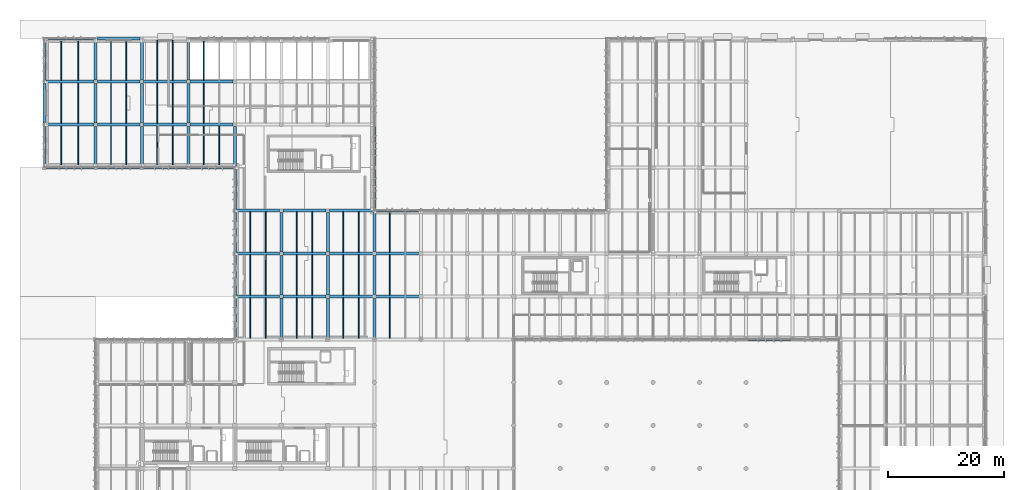
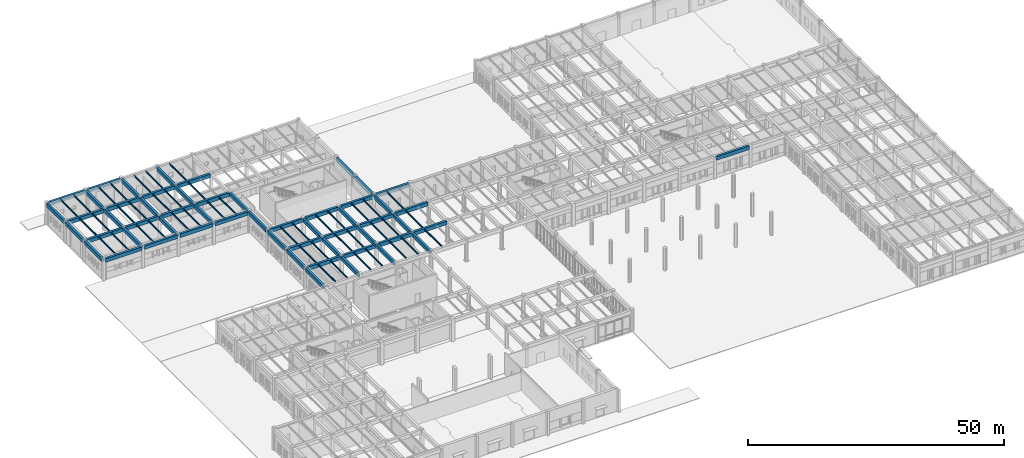
# One storey, part 7 of 56: 98 beams.
"""IFC4 building model written with IfcOpenShell, lengths in metres."""

from ifc_helpers import new_model, si_unit, direction, frame, origin, origin_2d, place, context, subcontext, project, spatial, rectangle, i_section, extrude, material, material_profile, profile_set, type_object, element, save


model = new_model("IFC4")

# Units and contexts
model_context = context("Model", 3, precision=1e-05, world=origin(), true_north=direction((0.0, 1.0)))
body_context = subcontext(model_context, "Body", "Model", "MODEL_VIEW")
ifc_project = project(units=[si_unit("LENGTHUNIT", "METRE"), si_unit("AREAUNIT", "SQUARE_METRE"), si_unit("VOLUMEUNIT", "CUBIC_METRE"), si_unit("PLANEANGLEUNIT", "RADIAN"), si_unit("MASSUNIT", "GRAM", prefix="KILO")], contexts=[model_context])

# Site, building, storey
site_placement = place(None, origin())
site = spatial("IfcSite", under=ifc_project, at=site_placement, CompositionType="ELEMENT")
building_placement = place(site_placement, origin())
building = spatial("IfcBuilding", under=site, at=building_placement, Name="Valkorina Park Police Headquarters", CompositionType="ELEMENT")
storey_placement = place(building_placement, origin())
storey = spatial("IfcBuildingStorey", under=building, at=storey_placement, Name="L01", CompositionType="ELEMENT", Elevation=0.0)

# Beams
ifc_material_1 = material(Name="Concrete C40/50", Category="concrete")
ifc_material_profile_1 = material_profile(ifc_material_1, rectangle(XDim=0.5, YDim=0.85009765625, at=origin_2d()), Name="RC BEAM 500x850")
ifc_profile_set_1 = profile_set([ifc_material_profile_1], Name="Concrete C40/50")
beam_type_1 = type_object("IfcBeamType", Name="BM-RC-500x850-EXT", PredefinedType="SPANDREL", material=ifc_profile_set_1)
beam_1_placement = place(storey_placement, frame((121.10009765625, 59.199951171875, 4.715087890625), z_axis=(1.0, 0.0, 0.0), x_axis=(0.0, 1.0, 0.0)))
element("IfcBeam", 1, at=beam_1_placement, inside=storey, type_object=beam_type_1, Name="L01 Framing Beam 0777", PredefinedType="SPANDREL", context=body_context, shape_type="SweptSolid", body=[
    extrude(rectangle(XDim=0.5, YDim=0.85009765625, at=origin_2d()), origin(), (0.0, 0.0, 1.0), 7.39990234375),
])
beam_2_placement = place(storey_placement, frame((57.044921875, 81.39990234375, 4.715087890625), z_axis=(1.0, 0.0, 0.0), x_axis=(0.0, 1.0, 0.0)))
element("IfcBeam", 2, at=beam_2_placement, inside=storey, type_object=beam_type_1, Name="L01 Framing Beam 0817", PredefinedType="SPANDREL", context=body_context, shape_type="SweptSolid", body=[
    extrude(rectangle(XDim=0.5, YDim=0.85009765625, at=origin_2d()), origin(), (0.0, 0.0, 1.0), 7.51025390625),
])
beam_3_placement = place(storey_placement, frame((0.300048828125, 88.800048828125, 4.715087890625), z_axis=(1.0, 0.0, 0.0), x_axis=(0.0, 1.0, 0.0)))
element("IfcBeam", 3, at=beam_3_placement, inside=storey, type_object=beam_type_1, Name="L01 Framing Beam 0830", PredefinedType="SPANDREL", context=body_context, shape_type="SweptSolid", body=[
    extrude(rectangle(XDim=0.5, YDim=0.85009765625, at=origin_2d()), origin(), (0.0, 0.0, 1.0), 8.199951171875),
])
for number, where, z_axis, x_axis, name in (
    (4, (9.10009765625, 88.800048828125, 4.715087890625), (1.0, 0.0, 0.0), (0.0, 1.0, 0.0), "L01 Framing Beam 0831"),
    (5, (17.10009765625, 88.800048828125, 4.715087890625), (1.0, 0.0, 0.0), (0.0, 1.0, 0.0), "L01 Framing Beam 0832"),
    (6, (25.10009765625, 88.800048828125, 4.715087890625), (1.0, 0.0, 0.0), (0.0, 1.0, 0.0), "L01 Framing Beam 0833"),
):
    element("IfcBeam", number, at=place(storey_placement, frame(where, z_axis=z_axis, x_axis=x_axis)), inside=storey, type_object=beam_type_1, Name=name, PredefinedType="SPANDREL", context=body_context, shape_type="SweptSolid", body=[
        extrude(rectangle(XDim=0.5, YDim=0.85009765625, at=origin_2d()), origin(), (0.0, 0.0, 1.0), 7.39990234375),
    ])
beam_4_placement = place(storey_placement, frame((0.300048828125, 111.0, 4.715087890625), z_axis=(1.0, 0.0, 0.0), x_axis=(0.0, 1.0, 0.0)))
element("IfcBeam", 7, at=beam_4_placement, inside=storey, type_object=beam_type_1, Name="L01 Framing Beam 0857", PredefinedType="SPANDREL", context=body_context, shape_type="SweptSolid", body=[
    extrude(rectangle(XDim=0.5, YDim=0.85009765625, at=origin_2d()), origin(), (0.0, 0.0, 1.0), 8.199951171875),
])
beam_5_placement = place(storey_placement, frame((9.10009765625, 111.0, 4.715087890625), z_axis=(1.0, 0.0, 0.0), x_axis=(0.0, 1.0, 0.0)))
element("IfcBeam", 8, at=beam_5_placement, inside=storey, type_object=beam_type_1, Name="L01 Framing Beam 0858", PredefinedType="SPANDREL", context=body_context, shape_type="SweptSolid", body=[
    extrude(rectangle(XDim=0.5, YDim=0.85009765625, at=origin_2d()), origin(), (0.0, 0.0, 1.0), 7.39990234375),
])
beam_6_placement = place(storey_placement, frame((0.0, 89.10009765625, 4.715087890625), z_axis=(0.0, 1.0, 0.0), x_axis=(-1.0, 0.0, 0.0)))
element("IfcBeam", 9, at=beam_6_placement, inside=storey, type_object=beam_type_1, Name="L01 Framing Beam 0876", PredefinedType="SPANDREL", context=body_context, shape_type="SweptSolid", body=[
    extrude(rectangle(XDim=0.5, YDim=0.85009765625, at=origin_2d()), origin(), (0.0, 0.0, 1.0), 6.7998046875),
])
for number, where, z_axis, x_axis, name in (
    (10, (0.0, 96.5, 4.715087890625), (0.0, 1.0, 0.0), (-1.0, 0.0, 0.0), "L01 Framing Beam 0879"),
    (11, (0.0, 103.89990234375, 4.715087890625), (0.0, 1.0, 0.0), (-1.0, 0.0, 0.0), "L01 Framing Beam 0882"),
):
    element("IfcBeam", number, at=place(storey_placement, frame(where, z_axis=z_axis, x_axis=x_axis)), inside=storey, type_object=beam_type_1, Name=name, PredefinedType="SPANDREL", context=body_context, shape_type="SweptSolid", body=[
        extrude(rectangle(XDim=0.5, YDim=0.85009765625, at=origin_2d()), origin(), (0.0, 0.0, 1.0), 6.800048828125),
    ])
beam_7_placement = place(storey_placement, frame((32.800048828125, 59.574951171875, 4.715087890625), z_axis=(0.0, 1.0, 0.0), x_axis=(-1.0, 0.0, 0.0)))
element("IfcBeam", 12, at=beam_7_placement, inside=storey, type_object=beam_type_1, Name="L01 Framing Beam 0972", PredefinedType="SPANDREL", context=body_context, shape_type="SweptSolid", body=[
    extrude(rectangle(XDim=0.5, YDim=0.85009765625, at=origin_2d()), origin(), (0.0, 0.0, 1.0), 6.72509765625),
])
for number, where, z_axis, x_axis, name in (
    (13, (32.800048828125, 66.89990234375, 4.715087890625), (0.0, 1.0, 0.0), (-1.0, 0.0, 0.0), "L01 Framing Beam 0975"),
    (14, (32.800048828125, 74.300048828125, 4.715087890625), (0.0, 1.0, 0.0), (-1.0, 0.0, 0.0), "L01 Framing Beam 0978"),
    (15, (32.800048828125, 81.699951171875, 4.715087890625), (0.0, 1.0, 0.0), (-1.0, 0.0, 0.0), "L01 Framing Beam 0981"),
):
    element("IfcBeam", number, at=place(storey_placement, frame(where, z_axis=z_axis, x_axis=x_axis)), inside=storey, type_object=beam_type_1, Name=name, PredefinedType="SPANDREL", context=body_context, shape_type="SweptSolid", body=[
        extrude(rectangle(XDim=0.5, YDim=0.85009765625, at=origin_2d()), origin(), (0.0, 0.0, 1.0), 6.800048828125),
    ])
beam_8_placement = place(storey_placement, frame((56.800048828125, 81.71630859375, 4.715087890625), z_axis=(0.0, 1.0, 0.0), x_axis=(-1.0, 0.0, 0.0)))
element("IfcBeam", 16, at=beam_8_placement, inside=storey, type_object=beam_type_1, Name="L01 Framing Beam 1040", PredefinedType="SPANDREL", context=body_context, shape_type="SweptSolid", body=[
    extrude(rectangle(XDim=0.5, YDim=0.85009765625, at=origin_2d()), origin(), (0.0, 0.0, 1.0), 6.78369140625),
])
beam_9_placement = place(storey_placement, frame((56.800048828125, 89.10009765625, 4.715087890625), z_axis=(0.0, 1.0, 0.0), x_axis=(-1.0, 0.0, 0.0)))
element("IfcBeam", 17, at=beam_9_placement, inside=storey, type_object=beam_type_1, Name="L01 Framing Beam 1041", PredefinedType="SPANDREL", context=body_context, shape_type="SweptSolid", body=[
    extrude(rectangle(XDim=0.5, YDim=0.85009765625, at=origin_2d()), origin(), (0.0, 0.0, 1.0), 6.7998046875),
])
ifc_material_profile_2 = material_profile(ifc_material_1, rectangle(XDim=0.5, YDim=0.85009765625, at=origin_2d()), Name="RC BEAM 500x850")
ifc_profile_set_2 = profile_set([ifc_material_profile_2], Name="Concrete C40/50")
beam_type_2 = type_object("IfcBeamType", Name="BM-RC-500x850-INT", PredefinedType="BEAM", material=ifc_profile_set_2)
for number, where, z_axis, x_axis, name in (
    (18, (33.10009765625, 66.60009765625, 4.715087890625), (1.0, 0.0, 0.0), (0.0, 1.0, 0.0), "L01 Framing Beam 0782"),
    (19, (41.10009765625, 66.60009765625, 4.715087890625), (1.0, 0.0, 0.0), (0.0, 1.0, 0.0), "L01 Framing Beam 0783"),
):
    element("IfcBeam", number, at=place(storey_placement, frame(where, z_axis=z_axis, x_axis=x_axis)), inside=storey, type_object=beam_type_2, Name=name, PredefinedType="BEAM", context=body_context, shape_type="SweptSolid", body=[
        extrude(rectangle(XDim=0.5, YDim=0.85009765625, at=origin_2d()), origin(), (0.0, 0.0, 1.0), 7.39990234375),
    ])
beam_10_placement = place(storey_placement, frame((49.10009765625, 66.60009765625, 4.715087890625), z_axis=(1.0, 0.0, 0.0), x_axis=(0.0, 1.0, 0.0)))
element("IfcBeam", 20, at=beam_10_placement, inside=storey, type_object=beam_type_2, Name="L01 Framing Beam 0784", PredefinedType="BEAM", context=body_context, shape_type="SweptSolid", body=[
    extrude(rectangle(XDim=0.5, YDim=0.85009765625, at=origin_2d()), origin(), (0.0, 0.0, 1.0), 7.455078125),
])
beam_11_placement = place(storey_placement, frame((57.044921875, 66.60009765625, 4.715087890625), z_axis=(1.0, 0.0, 0.0), x_axis=(0.0, 1.0, 0.0)))
element("IfcBeam", 21, at=beam_11_placement, inside=storey, type_object=beam_type_2, Name="L01 Framing Beam 0785", PredefinedType="BEAM", context=body_context, shape_type="SweptSolid", body=[
    extrude(rectangle(XDim=0.5, YDim=0.85009765625, at=origin_2d()), origin(), (0.0, 0.0, 1.0), 7.51025390625),
])
for number, where, z_axis, x_axis, name in (
    (22, (33.10009765625, 74.0, 4.715087890625), (1.0, 0.0, 0.0), (0.0, 1.0, 0.0), "L01 Framing Beam 0798"),
    (23, (41.10009765625, 74.0, 4.715087890625), (1.0, 0.0, 0.0), (0.0, 1.0, 0.0), "L01 Framing Beam 0799"),
):
    element("IfcBeam", number, at=place(storey_placement, frame(where, z_axis=z_axis, x_axis=x_axis)), inside=storey, type_object=beam_type_2, Name=name, PredefinedType="BEAM", context=body_context, shape_type="SweptSolid", body=[
        extrude(rectangle(XDim=0.5, YDim=0.85009765625, at=origin_2d()), origin(), (0.0, 0.0, 1.0), 7.39990234375),
    ])
beam_12_placement = place(storey_placement, frame((49.10009765625, 74.0, 4.715087890625), z_axis=(1.0, 0.0, 0.0), x_axis=(0.0, 1.0, 0.0)))
element("IfcBeam", 24, at=beam_12_placement, inside=storey, type_object=beam_type_2, Name="L01 Framing Beam 0800", PredefinedType="BEAM", context=body_context, shape_type="SweptSolid", body=[
    extrude(rectangle(XDim=0.5, YDim=0.85009765625, at=origin_2d()), origin(), (0.0, 0.0, 1.0), 7.455078125),
])
beam_13_placement = place(storey_placement, frame((57.044921875, 74.0, 4.715087890625), z_axis=(1.0, 0.0, 0.0), x_axis=(0.0, 1.0, 0.0)))
element("IfcBeam", 25, at=beam_13_placement, inside=storey, type_object=beam_type_2, Name="L01 Framing Beam 0801", PredefinedType="BEAM", context=body_context, shape_type="SweptSolid", body=[
    extrude(rectangle(XDim=0.5, YDim=0.85009765625, at=origin_2d()), origin(), (0.0, 0.0, 1.0), 7.51025390625),
])
for number, where, z_axis, x_axis, name in (
    (26, (33.10009765625, 81.39990234375, 4.715087890625), (1.0, 0.0, 0.0), (0.0, 1.0, 0.0), "L01 Framing Beam 0814"),
    (27, (41.10009765625, 81.39990234375, 4.715087890625), (1.0, 0.0, 0.0), (0.0, 1.0, 0.0), "L01 Framing Beam 0815"),
):
    element("IfcBeam", number, at=place(storey_placement, frame(where, z_axis=z_axis, x_axis=x_axis)), inside=storey, type_object=beam_type_2, Name=name, PredefinedType="BEAM", context=body_context, shape_type="SweptSolid", body=[
        extrude(rectangle(XDim=0.5, YDim=0.85009765625, at=origin_2d()), origin(), (0.0, 0.0, 1.0), 7.39990234375),
    ])
beam_14_placement = place(storey_placement, frame((49.10009765625, 81.39990234375, 4.715087890625), z_axis=(1.0, 0.0, 0.0), x_axis=(0.0, 1.0, 0.0)))
element("IfcBeam", 28, at=beam_14_placement, inside=storey, type_object=beam_type_2, Name="L01 Framing Beam 0816", PredefinedType="BEAM", context=body_context, shape_type="SweptSolid", body=[
    extrude(rectangle(XDim=0.5, YDim=0.85009765625, at=origin_2d()), origin(), (0.0, 0.0, 1.0), 7.455078125),
])
beam_15_placement = place(storey_placement, frame((0.300048828125, 96.199951171875, 4.715087890625), z_axis=(1.0, 0.0, 0.0), x_axis=(0.0, 1.0, 0.0)))
element("IfcBeam", 29, at=beam_15_placement, inside=storey, type_object=beam_type_2, Name="L01 Framing Beam 0837", PredefinedType="BEAM", context=body_context, shape_type="SweptSolid", body=[
    extrude(rectangle(XDim=0.5, YDim=0.85009765625, at=origin_2d()), origin(), (0.0, 0.0, 1.0), 8.199951171875),
])
for number, where, z_axis, x_axis, name in (
    (30, (9.10009765625, 96.199951171875, 4.715087890625), (1.0, 0.0, 0.0), (0.0, 1.0, 0.0), "L01 Framing Beam 0838"),
    (31, (17.10009765625, 96.199951171875, 4.715087890625), (1.0, 0.0, 0.0), (0.0, 1.0, 0.0), "L01 Framing Beam 0839"),
    (32, (25.10009765625, 96.199951171875, 4.715087890625), (1.0, 0.0, 0.0), (0.0, 1.0, 0.0), "L01 Framing Beam 0840"),
):
    element("IfcBeam", number, at=place(storey_placement, frame(where, z_axis=z_axis, x_axis=x_axis)), inside=storey, type_object=beam_type_2, Name=name, PredefinedType="BEAM", context=body_context, shape_type="SweptSolid", body=[
        extrude(rectangle(XDim=0.5, YDim=0.85009765625, at=origin_2d()), origin(), (0.0, 0.0, 1.0), 7.39990234375),
    ])
beam_16_placement = place(storey_placement, frame((0.300048828125, 103.60009765625, 4.715087890625), z_axis=(1.0, 0.0, 0.0), x_axis=(0.0, 1.0, 0.0)))
element("IfcBeam", 33, at=beam_16_placement, inside=storey, type_object=beam_type_2, Name="L01 Framing Beam 0847", PredefinedType="BEAM", context=body_context, shape_type="SweptSolid", body=[
    extrude(rectangle(XDim=0.5, YDim=0.85009765625, at=origin_2d()), origin(), (0.0, 0.0, 1.0), 8.199951171875),
])
for number, where, z_axis, x_axis, name in (
    (34, (9.10009765625, 103.60009765625, 4.715087890625), (1.0, 0.0, 0.0), (0.0, 1.0, 0.0), "L01 Framing Beam 0848"),
    (35, (17.10009765625, 103.60009765625, 4.715087890625), (1.0, 0.0, 0.0), (0.0, 1.0, 0.0), "L01 Framing Beam 0849"),
    (36, (25.10009765625, 103.60009765625, 4.715087890625), (1.0, 0.0, 0.0), (0.0, 1.0, 0.0), "L01 Framing Beam 0850"),
):
    element("IfcBeam", number, at=place(storey_placement, frame(where, z_axis=z_axis, x_axis=x_axis)), inside=storey, type_object=beam_type_2, Name=name, PredefinedType="BEAM", context=body_context, shape_type="SweptSolid", body=[
        extrude(rectangle(XDim=0.5, YDim=0.85009765625, at=origin_2d()), origin(), (0.0, 0.0, 1.0), 7.39990234375),
    ])
beam_17_placement = place(storey_placement, frame((8.800048828125, 89.10009765625, 4.715087890625), z_axis=(0.0, 1.0, 0.0), x_axis=(-1.0, 0.0, 0.0)))
element("IfcBeam", 37, at=beam_17_placement, inside=storey, type_object=beam_type_2, Name="L01 Framing Beam 0909", PredefinedType="BEAM", context=body_context, shape_type="SweptSolid", body=[
    extrude(rectangle(XDim=0.5, YDim=0.85009765625, at=origin_2d()), origin(), (0.0, 0.0, 1.0), 6.7998046875),
])
for number, where, z_axis, x_axis, name in (
    (38, (8.800048828125, 96.5, 4.715087890625), (0.0, 1.0, 0.0), (-1.0, 0.0, 0.0), "L01 Framing Beam 0912"),
    (39, (8.800048828125, 103.89990234375, 4.715087890625), (0.0, 1.0, 0.0), (-1.0, 0.0, 0.0), "L01 Framing Beam 0915"),
):
    element("IfcBeam", number, at=place(storey_placement, frame(where, z_axis=z_axis, x_axis=x_axis)), inside=storey, type_object=beam_type_2, Name=name, PredefinedType="BEAM", context=body_context, shape_type="SweptSolid", body=[
        extrude(rectangle(XDim=0.5, YDim=0.85009765625, at=origin_2d()), origin(), (0.0, 0.0, 1.0), 6.800048828125),
    ])
beam_18_placement = place(storey_placement, frame((16.800048828125, 89.10009765625, 4.715087890625), z_axis=(0.0, 1.0, 0.0), x_axis=(-1.0, 0.0, 0.0)))
element("IfcBeam", 40, at=beam_18_placement, inside=storey, type_object=beam_type_2, Name="L01 Framing Beam 0940", PredefinedType="BEAM", context=body_context, shape_type="SweptSolid", body=[
    extrude(rectangle(XDim=0.5, YDim=0.85009765625, at=origin_2d()), origin(), (0.0, 0.0, 1.0), 6.7998046875),
])
for number, where, z_axis, x_axis, name in (
    (41, (16.800048828125, 96.5, 4.715087890625), (0.0, 1.0, 0.0), (-1.0, 0.0, 0.0), "L01 Framing Beam 0943"),
    (42, (16.800048828125, 103.89990234375, 4.715087890625), (0.0, 1.0, 0.0), (-1.0, 0.0, 0.0), "L01 Framing Beam 0946"),
):
    element("IfcBeam", number, at=place(storey_placement, frame(where, z_axis=z_axis, x_axis=x_axis)), inside=storey, type_object=beam_type_2, Name=name, PredefinedType="BEAM", context=body_context, shape_type="SweptSolid", body=[
        extrude(rectangle(XDim=0.5, YDim=0.85009765625, at=origin_2d()), origin(), (0.0, 0.0, 1.0), 6.800048828125),
    ])
beam_19_placement = place(storey_placement, frame((24.800048828125, 89.10009765625, 4.715087890625), z_axis=(0.0, 1.0, 0.0), x_axis=(-1.0, 0.0, 0.0)))
element("IfcBeam", 43, at=beam_19_placement, inside=storey, type_object=beam_type_2, Name="L01 Framing Beam 0960", PredefinedType="BEAM", context=body_context, shape_type="SweptSolid", body=[
    extrude(rectangle(XDim=0.5, YDim=0.85009765625, at=origin_2d()), origin(), (0.0, 0.0, 1.0), 6.7998046875),
])
for number, where, z_axis, x_axis, name in (
    (44, (24.800048828125, 96.5, 4.715087890625), (0.0, 1.0, 0.0), (-1.0, 0.0, 0.0), "L01 Framing Beam 0963"),
    (45, (24.800048828125, 103.89990234375, 4.715087890625), (0.0, 1.0, 0.0), (-1.0, 0.0, 0.0), "L01 Framing Beam 0966"),
):
    element("IfcBeam", number, at=place(storey_placement, frame(where, z_axis=z_axis, x_axis=x_axis)), inside=storey, type_object=beam_type_2, Name=name, PredefinedType="BEAM", context=body_context, shape_type="SweptSolid", body=[
        extrude(rectangle(XDim=0.5, YDim=0.85009765625, at=origin_2d()), origin(), (0.0, 0.0, 1.0), 6.800048828125),
    ])
beam_20_placement = place(storey_placement, frame((32.800048828125, 89.10009765625, 4.715087890625), z_axis=(0.0, 1.0, 0.0), x_axis=(-1.0, 0.0, 0.0)))
element("IfcBeam", 46, at=beam_20_placement, inside=storey, type_object=beam_type_2, Name="L01 Framing Beam 0982", PredefinedType="BEAM", context=body_context, shape_type="SweptSolid", body=[
    extrude(rectangle(XDim=0.5, YDim=0.85009765625, at=origin_2d()), origin(), (0.0, 0.0, 1.0), 6.7998046875),
])
beam_21_placement = place(storey_placement, frame((40.800048828125, 59.574951171875, 4.715087890625), z_axis=(0.0, 1.0, 0.0), x_axis=(-1.0, 0.0, 0.0)))
element("IfcBeam", 47, at=beam_21_placement, inside=storey, type_object=beam_type_2, Name="L01 Framing Beam 0989", PredefinedType="BEAM", context=body_context, shape_type="SweptSolid", body=[
    extrude(rectangle(XDim=0.5, YDim=0.85009765625, at=origin_2d()), origin(), (0.0, 0.0, 1.0), 6.72509765625),
])
for number, where, z_axis, x_axis, name in (
    (48, (40.800048828125, 66.89990234375, 4.715087890625), (0.0, 1.0, 0.0), (-1.0, 0.0, 0.0), "L01 Framing Beam 0992"),
    (49, (40.800048828125, 74.300048828125, 4.715087890625), (0.0, 1.0, 0.0), (-1.0, 0.0, 0.0), "L01 Framing Beam 0995"),
):
    element("IfcBeam", number, at=place(storey_placement, frame(where, z_axis=z_axis, x_axis=x_axis)), inside=storey, type_object=beam_type_2, Name=name, PredefinedType="BEAM", context=body_context, shape_type="SweptSolid", body=[
        extrude(rectangle(XDim=0.5, YDim=0.85009765625, at=origin_2d()), origin(), (0.0, 0.0, 1.0), 6.800048828125),
    ])
beam_22_placement = place(storey_placement, frame((48.800048828125, 59.574951171875, 4.715087890625), z_axis=(0.0, 1.0, 0.0), x_axis=(-1.0, 0.0, 0.0)))
element("IfcBeam", 50, at=beam_22_placement, inside=storey, type_object=beam_type_2, Name="L01 Framing Beam 1007", PredefinedType="BEAM", context=body_context, shape_type="SweptSolid", body=[
    extrude(rectangle(XDim=0.5, YDim=0.85009765625, at=origin_2d()), origin(), (0.0, 0.0, 1.0), 6.72509765625),
])
for number, where, z_axis, x_axis, name in (
    (51, (48.800048828125, 66.89990234375, 4.715087890625), (0.0, 1.0, 0.0), (-1.0, 0.0, 0.0), "L01 Framing Beam 1010"),
    (52, (48.800048828125, 74.300048828125, 4.715087890625), (0.0, 1.0, 0.0), (-1.0, 0.0, 0.0), "L01 Framing Beam 1013"),
):
    element("IfcBeam", number, at=place(storey_placement, frame(where, z_axis=z_axis, x_axis=x_axis)), inside=storey, type_object=beam_type_2, Name=name, PredefinedType="BEAM", context=body_context, shape_type="SweptSolid", body=[
        extrude(rectangle(XDim=0.5, YDim=0.85009765625, at=origin_2d()), origin(), (0.0, 0.0, 1.0), 6.800048828125),
    ])
for number, where, z_axis, x_axis, name in (
    (53, (56.800048828125, 59.51611328125, 4.715087890625), (0.0, 1.0, 0.0), (-1.0, 0.0, 0.0), "L01 Framing Beam 1031"),
    (54, (56.800048828125, 66.916259765625, 4.715087890625), (0.0, 1.0, 0.0), (-1.0, 0.0, 0.0), "L01 Framing Beam 1034"),
    (55, (56.800048828125, 74.316162109375, 4.715087890625), (0.0, 1.0, 0.0), (-1.0, 0.0, 0.0), "L01 Framing Beam 1037"),
):
    element("IfcBeam", number, at=place(storey_placement, frame(where, z_axis=z_axis, x_axis=x_axis)), inside=storey, type_object=beam_type_2, Name=name, PredefinedType="BEAM", context=body_context, shape_type="SweptSolid", body=[
        extrude(rectangle(XDim=0.5, YDim=0.85009765625, at=origin_2d()), origin(), (0.0, 0.0, 1.0), 6.767578125),
    ])
ifc_material_2 = material(Name="Steel S355", Category="steel")
ifc_material_profile_3 = material_profile(ifc_material_2, i_section(OverallWidth=0.169921875, OverallDepth=0.360107421875, WebThickness=0.008056640625, FlangeThickness=0.0126953125, FilletRadius=0.01806640625, at=origin_2d()), Name="IPE 360")
ifc_profile_set_3 = profile_set([ifc_material_profile_3], Name="Steel S355")
beam_type_3 = type_object("IfcBeamType", Name="BM-S355-IPE360-JST", PredefinedType="JOIST", material=ifc_profile_set_3)
for number, where, z_axis, x_axis, name in (
    (56, (2.933349609375, 89.050048828125, 4.9599609375), (0.0, 1.0, 0.0), (-1.0, 0.0, 0.0), "L01 Framing Beam 0877"),
    (57, (5.86669921875, 89.050048828125, 4.9599609375), (0.0, 1.0, 0.0), (-1.0, 0.0, 0.0), "L01 Framing Beam 0878"),
):
    element("IfcBeam", number, at=place(storey_placement, frame(where, z_axis=z_axis, x_axis=x_axis)), inside=storey, type_object=beam_type_3, Name=name, PredefinedType="JOIST", context=body_context, shape_type="SweptSolid", body=[
        extrude(i_section(OverallWidth=0.169921875, OverallDepth=0.360107421875, WebThickness=0.008056640625, FlangeThickness=0.0126953125, FilletRadius=0.01806640625, at=origin_2d()), origin(), (0.0, 0.0, 1.0), 6.89990234375),
    ])
for number, where, z_axis, x_axis, name in (
    (58, (2.933349609375, 96.449951171875, 4.9599609375), (0.0, 1.0, 0.0), (-1.0, 0.0, 0.0), "L01 Framing Beam 0880"),
    (59, (5.86669921875, 96.449951171875, 4.9599609375), (0.0, 1.0, 0.0), (-1.0, 0.0, 0.0), "L01 Framing Beam 0881"),
):
    element("IfcBeam", number, at=place(storey_placement, frame(where, z_axis=z_axis, x_axis=x_axis)), inside=storey, type_object=beam_type_3, Name=name, PredefinedType="JOIST", context=body_context, shape_type="SweptSolid", body=[
        extrude(i_section(OverallWidth=0.169921875, OverallDepth=0.360107421875, WebThickness=0.008056640625, FlangeThickness=0.0126953125, FilletRadius=0.01806640625, at=origin_2d()), origin(), (0.0, 0.0, 1.0), 6.900146484375),
    ])
for number, where, z_axis, x_axis, name in (
    (60, (2.933349609375, 103.85009765625, 4.9599609375), (0.0, 1.0, 0.0), (-1.0, 0.0, 0.0), "L01 Framing Beam 0883"),
    (61, (5.86669921875, 103.85009765625, 4.9599609375), (0.0, 1.0, 0.0), (-1.0, 0.0, 0.0), "L01 Framing Beam 0884"),
    (62, (11.466796875, 89.050048828125, 4.9599609375), (0.0, 1.0, 0.0), (-1.0, 0.0, 0.0), "L01 Framing Beam 0910"),
    (63, (14.13330078125, 89.050048828125, 4.9599609375), (0.0, 1.0, 0.0), (-1.0, 0.0, 0.0), "L01 Framing Beam 0911"),
):
    element("IfcBeam", number, at=place(storey_placement, frame(where, z_axis=z_axis, x_axis=x_axis)), inside=storey, type_object=beam_type_3, Name=name, PredefinedType="JOIST", context=body_context, shape_type="SweptSolid", body=[
        extrude(i_section(OverallWidth=0.169921875, OverallDepth=0.360107421875, WebThickness=0.008056640625, FlangeThickness=0.0126953125, FilletRadius=0.01806640625, at=origin_2d()), origin(), (0.0, 0.0, 1.0), 6.89990234375),
    ])
for number, where, z_axis, x_axis, name in (
    (64, (11.466796875, 96.449951171875, 4.9599609375), (0.0, 1.0, 0.0), (-1.0, 0.0, 0.0), "L01 Framing Beam 0913"),
    (65, (14.13330078125, 96.449951171875, 4.9599609375), (0.0, 1.0, 0.0), (-1.0, 0.0, 0.0), "L01 Framing Beam 0914"),
):
    element("IfcBeam", number, at=place(storey_placement, frame(where, z_axis=z_axis, x_axis=x_axis)), inside=storey, type_object=beam_type_3, Name=name, PredefinedType="JOIST", context=body_context, shape_type="SweptSolid", body=[
        extrude(i_section(OverallWidth=0.169921875, OverallDepth=0.360107421875, WebThickness=0.008056640625, FlangeThickness=0.0126953125, FilletRadius=0.01806640625, at=origin_2d()), origin(), (0.0, 0.0, 1.0), 6.900146484375),
    ])
for number, where, z_axis, x_axis, name in (
    (66, (11.466796875, 103.85009765625, 4.9599609375), (0.0, 1.0, 0.0), (-1.0, 0.0, 0.0), "L01 Framing Beam 0916"),
    (67, (14.13330078125, 103.85009765625, 4.9599609375), (0.0, 1.0, 0.0), (-1.0, 0.0, 0.0), "L01 Framing Beam 0917"),
    (68, (19.466796875, 89.050048828125, 4.9599609375), (0.0, 1.0, 0.0), (-1.0, 0.0, 0.0), "L01 Framing Beam 0941"),
    (69, (22.13330078125, 89.050048828125, 4.9599609375), (0.0, 1.0, 0.0), (-1.0, 0.0, 0.0), "L01 Framing Beam 0942"),
):
    element("IfcBeam", number, at=place(storey_placement, frame(where, z_axis=z_axis, x_axis=x_axis)), inside=storey, type_object=beam_type_3, Name=name, PredefinedType="JOIST", context=body_context, shape_type="SweptSolid", body=[
        extrude(i_section(OverallWidth=0.169921875, OverallDepth=0.360107421875, WebThickness=0.008056640625, FlangeThickness=0.0126953125, FilletRadius=0.01806640625, at=origin_2d()), origin(), (0.0, 0.0, 1.0), 6.89990234375),
    ])
for number, where, z_axis, x_axis, name in (
    (70, (19.466796875, 96.449951171875, 4.9599609375), (0.0, 1.0, 0.0), (-1.0, 0.0, 0.0), "L01 Framing Beam 0944"),
    (71, (22.13330078125, 96.449951171875, 4.9599609375), (0.0, 1.0, 0.0), (-1.0, 0.0, 0.0), "L01 Framing Beam 0945"),
):
    element("IfcBeam", number, at=place(storey_placement, frame(where, z_axis=z_axis, x_axis=x_axis)), inside=storey, type_object=beam_type_3, Name=name, PredefinedType="JOIST", context=body_context, shape_type="SweptSolid", body=[
        extrude(i_section(OverallWidth=0.169921875, OverallDepth=0.360107421875, WebThickness=0.008056640625, FlangeThickness=0.0126953125, FilletRadius=0.01806640625, at=origin_2d()), origin(), (0.0, 0.0, 1.0), 6.900146484375),
    ])
for number, where, z_axis, x_axis, name in (
    (72, (19.466796875, 103.85009765625, 4.9599609375), (0.0, 1.0, 0.0), (-1.0, 0.0, 0.0), "L01 Framing Beam 0947"),
    (73, (22.13330078125, 103.85009765625, 4.9599609375), (0.0, 1.0, 0.0), (-1.0, 0.0, 0.0), "L01 Framing Beam 0948"),
    (74, (27.466796875, 89.050048828125, 4.9599609375), (0.0, 1.0, 0.0), (-1.0, 0.0, 0.0), "L01 Framing Beam 0961"),
    (75, (30.13330078125, 89.050048828125, 4.9599609375), (0.0, 1.0, 0.0), (-1.0, 0.0, 0.0), "L01 Framing Beam 0962"),
):
    element("IfcBeam", number, at=place(storey_placement, frame(where, z_axis=z_axis, x_axis=x_axis)), inside=storey, type_object=beam_type_3, Name=name, PredefinedType="JOIST", context=body_context, shape_type="SweptSolid", body=[
        extrude(i_section(OverallWidth=0.169921875, OverallDepth=0.360107421875, WebThickness=0.008056640625, FlangeThickness=0.0126953125, FilletRadius=0.01806640625, at=origin_2d()), origin(), (0.0, 0.0, 1.0), 6.89990234375),
    ])
beam_23_placement = place(storey_placement, frame((27.466796875, 96.449951171875, 4.9599609375), z_axis=(0.0, 1.0, 0.0), x_axis=(-1.0, 0.0, 0.0)))
element("IfcBeam", 76, at=beam_23_placement, inside=storey, type_object=beam_type_3, Name="L01 Framing Beam 0964", PredefinedType="JOIST", context=body_context, shape_type="SweptSolid", body=[
    extrude(i_section(OverallWidth=0.169921875, OverallDepth=0.360107421875, WebThickness=0.008056640625, FlangeThickness=0.0126953125, FilletRadius=0.01806640625, at=origin_2d()), origin(), (0.0, 0.0, 1.0), 6.900146484375),
])
beam_24_placement = place(storey_placement, frame((27.466796875, 103.85009765625, 4.9599609375), z_axis=(0.0, 1.0, 0.0), x_axis=(-1.0, 0.0, 0.0)))
element("IfcBeam", 77, at=beam_24_placement, inside=storey, type_object=beam_type_3, Name="L01 Framing Beam 0967", PredefinedType="JOIST", context=body_context, shape_type="SweptSolid", body=[
    extrude(i_section(OverallWidth=0.169921875, OverallDepth=0.360107421875, WebThickness=0.008056640625, FlangeThickness=0.0126953125, FilletRadius=0.01806640625, at=origin_2d()), origin(), (0.0, 0.0, 1.0), 6.89990234375),
])
for number, where, z_axis, x_axis, name in (
    (78, (35.466796875, 59.449951171875, 4.9599609375), (0.0, 1.0, 0.0), (-1.0, 0.0, 0.0), "L01 Framing Beam 0973"),
    (79, (38.13330078125, 59.449951171875, 4.9599609375), (0.0, 1.0, 0.0), (-1.0, 0.0, 0.0), "L01 Framing Beam 0974"),
):
    element("IfcBeam", number, at=place(storey_placement, frame(where, z_axis=z_axis, x_axis=x_axis)), inside=storey, type_object=beam_type_3, Name=name, PredefinedType="JOIST", context=body_context, shape_type="SweptSolid", body=[
        extrude(i_section(OverallWidth=0.169921875, OverallDepth=0.360107421875, WebThickness=0.008056640625, FlangeThickness=0.0126953125, FilletRadius=0.01806640625, at=origin_2d()), origin(), (0.0, 0.0, 1.0), 6.900146484375),
    ])
for number, where, z_axis, x_axis, name in (
    (80, (35.466796875, 66.85009765625, 4.9599609375), (0.0, 1.0, 0.0), (-1.0, 0.0, 0.0), "L01 Framing Beam 0976"),
    (81, (38.13330078125, 66.85009765625, 4.9599609375), (0.0, 1.0, 0.0), (-1.0, 0.0, 0.0), "L01 Framing Beam 0977"),
    (82, (35.466796875, 74.25, 4.9599609375), (0.0, 1.0, 0.0), (-1.0, 0.0, 0.0), "L01 Framing Beam 0979"),
    (83, (38.13330078125, 74.25, 4.9599609375), (0.0, 1.0, 0.0), (-1.0, 0.0, 0.0), "L01 Framing Beam 0980"),
):
    element("IfcBeam", number, at=place(storey_placement, frame(where, z_axis=z_axis, x_axis=x_axis)), inside=storey, type_object=beam_type_3, Name=name, PredefinedType="JOIST", context=body_context, shape_type="SweptSolid", body=[
        extrude(i_section(OverallWidth=0.169921875, OverallDepth=0.360107421875, WebThickness=0.008056640625, FlangeThickness=0.0126953125, FilletRadius=0.01806640625, at=origin_2d()), origin(), (0.0, 0.0, 1.0), 6.89990234375),
    ])
for number, where, z_axis, x_axis, name in (
    (84, (43.466796875, 59.449951171875, 4.9599609375), (0.0, 1.0, 0.0), (-1.0, 0.0, 0.0), "L01 Framing Beam 0990"),
    (85, (46.13330078125, 59.449951171875, 4.9599609375), (0.0, 1.0, 0.0), (-1.0, 0.0, 0.0), "L01 Framing Beam 0991"),
):
    element("IfcBeam", number, at=place(storey_placement, frame(where, z_axis=z_axis, x_axis=x_axis)), inside=storey, type_object=beam_type_3, Name=name, PredefinedType="JOIST", context=body_context, shape_type="SweptSolid", body=[
        extrude(i_section(OverallWidth=0.169921875, OverallDepth=0.360107421875, WebThickness=0.008056640625, FlangeThickness=0.0126953125, FilletRadius=0.01806640625, at=origin_2d()), origin(), (0.0, 0.0, 1.0), 6.900146484375),
    ])
for number, where, z_axis, x_axis, name in (
    (86, (43.466796875, 66.85009765625, 4.9599609375), (0.0, 1.0, 0.0), (-1.0, 0.0, 0.0), "L01 Framing Beam 0993"),
    (87, (46.13330078125, 66.85009765625, 4.9599609375), (0.0, 1.0, 0.0), (-1.0, 0.0, 0.0), "L01 Framing Beam 0994"),
    (88, (43.466796875, 74.25, 4.9599609375), (0.0, 1.0, 0.0), (-1.0, 0.0, 0.0), "L01 Framing Beam 0996"),
    (89, (46.13330078125, 74.25, 4.9599609375), (0.0, 1.0, 0.0), (-1.0, 0.0, 0.0), "L01 Framing Beam 0997"),
):
    element("IfcBeam", number, at=place(storey_placement, frame(where, z_axis=z_axis, x_axis=x_axis)), inside=storey, type_object=beam_type_3, Name=name, PredefinedType="JOIST", context=body_context, shape_type="SweptSolid", body=[
        extrude(i_section(OverallWidth=0.169921875, OverallDepth=0.360107421875, WebThickness=0.008056640625, FlangeThickness=0.0126953125, FilletRadius=0.01806640625, at=origin_2d()), origin(), (0.0, 0.0, 1.0), 6.89990234375),
    ])
for number, where, z_axis, x_axis, name in (
    (90, (51.466796875, 59.449951171875, 4.9599609375), (0.0, 1.0, 0.0), (-1.0, 0.0, 0.0), "L01 Framing Beam 1008"),
    (91, (54.13330078125, 59.449951171875, 4.9599609375), (0.0, 1.0, 0.0), (-1.0, 0.0, 0.0), "L01 Framing Beam 1009"),
):
    element("IfcBeam", number, at=place(storey_placement, frame(where, z_axis=z_axis, x_axis=x_axis)), inside=storey, type_object=beam_type_3, Name=name, PredefinedType="JOIST", context=body_context, shape_type="SweptSolid", body=[
        extrude(i_section(OverallWidth=0.169921875, OverallDepth=0.360107421875, WebThickness=0.008056640625, FlangeThickness=0.0126953125, FilletRadius=0.01806640625, at=origin_2d()), origin(), (0.0, 0.0, 1.0), 6.900146484375),
    ])
for number, where, z_axis, x_axis, name in (
    (92, (51.466796875, 66.85009765625, 4.9599609375), (0.0, 1.0, 0.0), (-1.0, 0.0, 0.0), "L01 Framing Beam 1011"),
    (93, (54.13330078125, 66.85009765625, 4.9599609375), (0.0, 1.0, 0.0), (-1.0, 0.0, 0.0), "L01 Framing Beam 1012"),
    (94, (51.466796875, 74.25, 4.9599609375), (0.0, 1.0, 0.0), (-1.0, 0.0, 0.0), "L01 Framing Beam 1014"),
    (95, (54.13330078125, 74.25, 4.9599609375), (0.0, 1.0, 0.0), (-1.0, 0.0, 0.0), "L01 Framing Beam 1015"),
):
    element("IfcBeam", number, at=place(storey_placement, frame(where, z_axis=z_axis, x_axis=x_axis)), inside=storey, type_object=beam_type_3, Name=name, PredefinedType="JOIST", context=body_context, shape_type="SweptSolid", body=[
        extrude(i_section(OverallWidth=0.169921875, OverallDepth=0.360107421875, WebThickness=0.008056640625, FlangeThickness=0.0126953125, FilletRadius=0.01806640625, at=origin_2d()), origin(), (0.0, 0.0, 1.0), 6.89990234375),
    ])
beam_25_placement = place(storey_placement, frame((59.466796875, 59.449951171875, 4.9599609375), z_axis=(0.0, 1.0, 0.0), x_axis=(-1.0, 0.0, 0.0)))
element("IfcBeam", 96, at=beam_25_placement, inside=storey, type_object=beam_type_3, Name="L01 Framing Beam 1032", PredefinedType="JOIST", context=body_context, shape_type="SweptSolid", body=[
    extrude(i_section(OverallWidth=0.169921875, OverallDepth=0.360107421875, WebThickness=0.008056640625, FlangeThickness=0.0126953125, FilletRadius=0.01806640625, at=origin_2d()), origin(), (0.0, 0.0, 1.0), 6.900146484375),
])
for number, where, z_axis, x_axis, name in (
    (97, (59.466796875, 66.85009765625, 4.9599609375), (0.0, 1.0, 0.0), (-1.0, 0.0, 0.0), "L01 Framing Beam 1035"),
    (98, (59.466796875, 74.25, 4.9599609375), (0.0, 1.0, 0.0), (-1.0, 0.0, 0.0), "L01 Framing Beam 1038"),
):
    element("IfcBeam", number, at=place(storey_placement, frame(where, z_axis=z_axis, x_axis=x_axis)), inside=storey, type_object=beam_type_3, Name=name, PredefinedType="JOIST", context=body_context, shape_type="SweptSolid", body=[
        extrude(i_section(OverallWidth=0.169921875, OverallDepth=0.360107421875, WebThickness=0.008056640625, FlangeThickness=0.0126953125, FilletRadius=0.01806640625, at=origin_2d()), origin(), (0.0, 0.0, 1.0), 6.89990234375),
    ])

save(model, "model.ifc")
